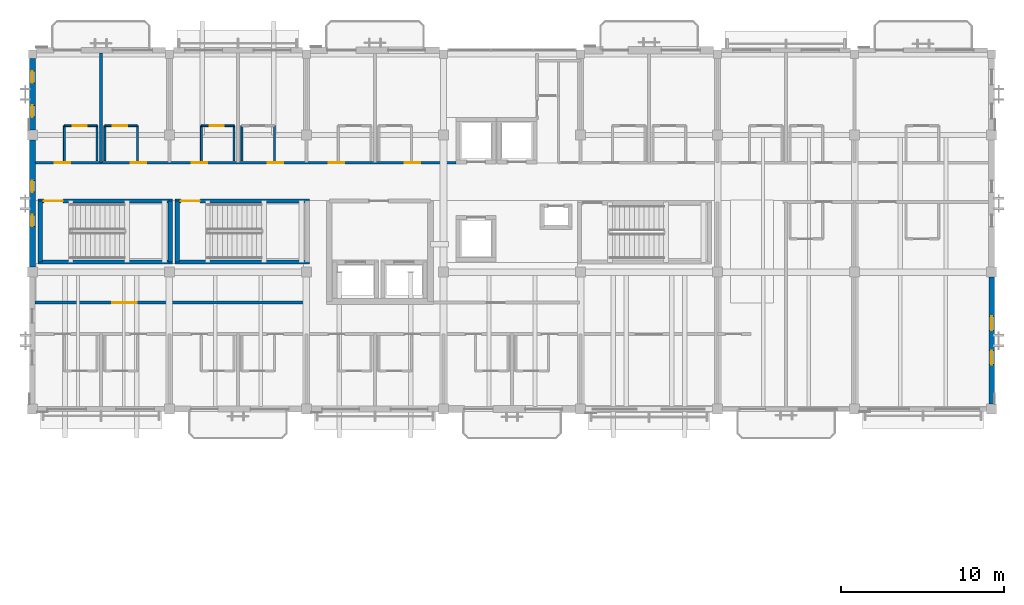
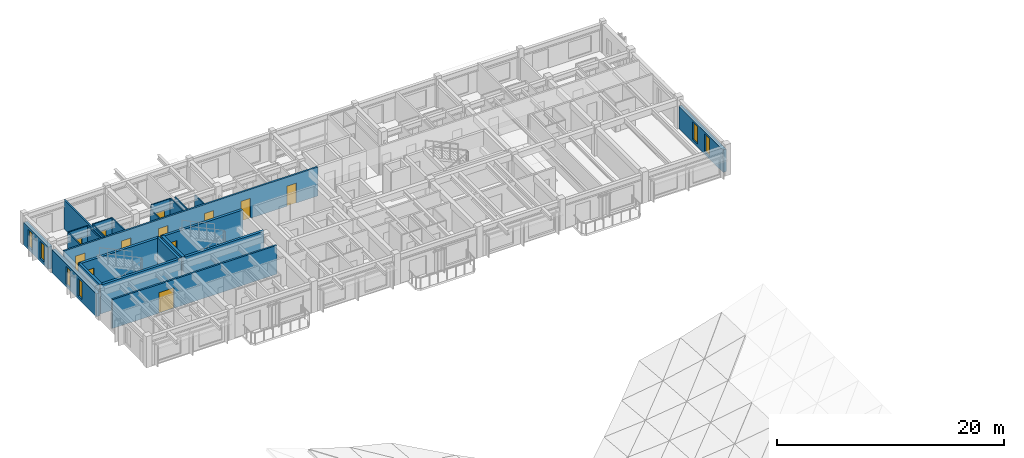
# One storey, part 14 of 31: 24 walls, 12 doors, 6 windows, 18 openings.
"""IFC4 building model written with IfcOpenShell, lengths in metres."""

from ifc_helpers import new_model, si_unit, direction, frame, frame_2d, origin, place, context, subcontext, project, spatial, rectangle, extrude, material, layer, layer_set, type_object, element, fill, save


model = new_model("IFC4")

# Units and contexts
model_context = context("Model", 3, precision=1e-05, world=origin(), true_north=direction((0.0, 1.0)))
body_context = subcontext(model_context, "Body", "Model", "MODEL_VIEW")
ifc_project = project(units=[si_unit("LENGTHUNIT", "METRE"), si_unit("AREAUNIT", "SQUARE_METRE"), si_unit("VOLUMEUNIT", "CUBIC_METRE"), si_unit("PLANEANGLEUNIT", "RADIAN"), si_unit("MASSUNIT", "GRAM", prefix="KILO")], contexts=[model_context])

# Site, building, storey
site_placement = place(None, origin())
site = spatial("IfcSite", under=ifc_project, at=site_placement, CompositionType="ELEMENT")
building_placement = place(site_placement, origin())
building = spatial("IfcBuilding", under=site, at=building_placement, Name="Cumbredor Promenade Congress Hotel", CompositionType="ELEMENT")
storey_placement = place(building_placement, frame((0.0, 0.0, 31.919921875)))
storey = spatial("IfcBuildingStorey", under=building, at=storey_placement, Name="L09", CompositionType="ELEMENT", Elevation=31.919921875)

# Wall, opening, door
ifc_material_1 = material(Name="Moisture-resistant gypsum board on steel studs", Category="steel")
ifc_layer_1 = layer(ifc_material_1, 0.114990234375, Name="Moisture-resistant gypsum board on steel studs", Category="steel")
ifc_layer_set_1 = layer_set([ifc_layer_1], Name="Moisture-resistant gypsum board on steel studs")
wall_type_1 = type_object("IfcWallType", Name="WL-BATH-115", PredefinedType="PARTITIONING", material=ifc_layer_set_1)
wall_1_placement = place(storey_placement, frame((10.360107421875, 109.77001953125, 0.0), z_axis=(0.0, 0.0, 1.0), x_axis=(1.0, 0.0, 0.0)))
wall_1 = element("IfcWall", 1, at=wall_1_placement, inside=storey, type_object=wall_type_1, Name="L09 Interior Partition W-L09-BH-0901", PredefinedType="PARTITIONING", context=body_context, shape_type="SweptSolid", body=[
    extrude(rectangle(XDim=2.0, YDim=0.114990234375, at=frame_2d((1.0, 0.0))), origin(), (0.0, 0.0, 1.0), 3.10009765625),
])
opening_1_placement = place(wall_1_placement, frame((0.5, 0.0, 0.0)))
opening_1 = element("IfcOpeningElement", 2, at=opening_1_placement, cuts=wall_1, Name="Opening ID-01", PredefinedType="OPENING", context=body_context, shape_type="SweptSolid", body=[
    extrude(rectangle(XDim=0.860107421875, YDim=2.050048828125, at=frame_2d((0.43017578125, 1.02490234375))), frame((0.0, 0.0673828125, 0.0), z_axis=(0.0, -1.0, 0.0), x_axis=(1.0, 0.0, 0.0)), (0.0, 0.0, 1.0), 0.135009765625),
])
ifc_material_2 = material(Name="Kiln-dried tropical hardwood", Category="wood")
door_type_1 = type_object("IfcDoorType", Name="DR-BATH-860", OperationType="NOTDEFINED", PredefinedType="DOOR", material=ifc_material_2)
door_1_placement = place(opening_1_placement, origin())
door_1 = element("IfcDoor", 3, at=door_1_placement, inside=storey, type_object=door_type_1, Name="L09 Interior Door W-L09-BH-0901-01", OperationType="SINGLE_SWING_LEFT", OverallHeight=2.050048828125, OverallWidth=0.860107421875, PredefinedType="DOOR", context=body_context, shape_type="SweptSolid", body=[
    extrude(rectangle(XDim=0.860107421875, YDim=2.050048828125, at=frame_2d((0.43017578125, 1.02490234375))), frame((0.0, 0.02490234375, 0.0), z_axis=(0.0, -1.0, 0.0), x_axis=(1.0, 0.0, 0.0)), (0.0, 0.0, 1.0), 0.050048828125),
])
fill(opening_1, door_1)

# Walls
for number, where, z_axis, x_axis, name in (
    (4, (10.360107421875, 107.6201171875, 0.0), (0.0, 0.0, 1.0), (0.0, 1.0, 0.0), "L09 Interior Partition W-L09-BV1-0901"),
    (5, (12.360107421875, 107.6201171875, 0.0), (0.0, 0.0, 1.0), (0.0, 1.0, 0.0), "L09 Interior Partition W-L09-BV2-0901"),
):
    element("IfcWall", number, at=place(storey_placement, frame(where, z_axis=z_axis, x_axis=x_axis)), inside=storey, type_object=wall_type_1, Name=name, PredefinedType="PARTITIONING", context=body_context, shape_type="SweptSolid", body=[
        extrude(rectangle(XDim=2.14990234375, YDim=0.114990234375, at=frame_2d((1.074951171875, 0.0))), origin(), (0.0, 0.0, 1.0), 3.10009765625),
    ])

# Wall, opening, door
wall_2_placement = place(storey_placement, frame((12.840087890625, 109.77001953125, 0.0), z_axis=(0.0, 0.0, 1.0), x_axis=(1.0, 0.0, 0.0)))
wall_2 = element("IfcWall", 6, at=wall_2_placement, inside=storey, type_object=wall_type_1, Name="L09 Interior Partition W-L09-BH-0902", PredefinedType="PARTITIONING", context=body_context, shape_type="SweptSolid", body=[
    extrude(rectangle(XDim=2.0, YDim=0.114990234375, at=frame_2d((1.0, 0.0))), origin(), (0.0, 0.0, 1.0), 3.10009765625),
])
opening_2_placement = place(wall_2_placement, frame((0.5, 0.0, 0.0)))
opening_2 = element("IfcOpeningElement", 7, at=opening_2_placement, cuts=wall_2, Name="Opening ID-01", PredefinedType="OPENING", context=body_context, shape_type="SweptSolid", body=[
    extrude(rectangle(XDim=0.860107421875, YDim=2.050048828125, at=frame_2d((0.43017578125, 1.02490234375))), frame((0.0, 0.0673828125, 0.0), z_axis=(0.0, -1.0, 0.0), x_axis=(1.0, 0.0, 0.0)), (0.0, 0.0, 1.0), 0.135009765625),
])
door_2_placement = place(opening_2_placement, origin())
door_2 = element("IfcDoor", 8, at=door_2_placement, inside=storey, type_object=door_type_1, Name="L09 Interior Door W-L09-BH-0902-01", OperationType="SINGLE_SWING_RIGHT", OverallHeight=2.050048828125, OverallWidth=0.860107421875, PredefinedType="DOOR", context=body_context, shape_type="SweptSolid", body=[
    extrude(rectangle(XDim=0.860107421875, YDim=2.050048828125, at=frame_2d((0.43017578125, 1.02490234375))), frame((0.0, 0.02490234375, 0.0), z_axis=(0.0, -1.0, 0.0), x_axis=(1.0, 0.0, 0.0)), (0.0, 0.0, 1.0), 0.050048828125),
])
fill(opening_2, door_2)

# Walls
for number, where, z_axis, x_axis, name in (
    (9, (12.840087890625, 107.6201171875, 0.0), (0.0, 0.0, 1.0), (0.0, 1.0, 0.0), "L09 Interior Partition W-L09-BV1-0902"),
    (10, (14.840087890625, 107.6201171875, 0.0), (0.0, 0.0, 1.0), (0.0, 1.0, 0.0), "L09 Interior Partition W-L09-BV2-0902"),
):
    element("IfcWall", number, at=place(storey_placement, frame(where, z_axis=z_axis, x_axis=x_axis)), inside=storey, type_object=wall_type_1, Name=name, PredefinedType="PARTITIONING", context=body_context, shape_type="SweptSolid", body=[
        extrude(rectangle(XDim=2.14990234375, YDim=0.114990234375, at=frame_2d((1.074951171875, 0.0))), origin(), (0.0, 0.0, 1.0), 3.10009765625),
    ])

# Wall, opening, door
wall_3_placement = place(storey_placement, frame((18.760009765625, 109.77001953125, 0.0), z_axis=(0.0, 0.0, 1.0), x_axis=(1.0, 0.0, 0.0)))
wall_3 = element("IfcWall", 11, at=wall_3_placement, inside=storey, type_object=wall_type_1, Name="L09 Interior Partition W-L09-BH-0903", PredefinedType="PARTITIONING", context=body_context, shape_type="SweptSolid", body=[
    extrude(rectangle(XDim=2.0, YDim=0.114990234375, at=frame_2d((1.0, 0.0))), origin(), (0.0, 0.0, 1.0), 3.10009765625),
])
opening_3_placement = place(wall_3_placement, frame((0.5, 0.0, 0.0)))
opening_3 = element("IfcOpeningElement", 12, at=opening_3_placement, cuts=wall_3, Name="Opening ID-01", PredefinedType="OPENING", context=body_context, shape_type="SweptSolid", body=[
    extrude(rectangle(XDim=0.860107421875, YDim=2.050048828125, at=frame_2d((0.43017578125, 1.02490234375))), frame((0.0, 0.0673828125, 0.0), z_axis=(0.0, -1.0, 0.0), x_axis=(1.0, 0.0, 0.0)), (0.0, 0.0, 1.0), 0.135009765625),
])
door_3_placement = place(opening_3_placement, origin())
door_3 = element("IfcDoor", 13, at=door_3_placement, inside=storey, type_object=door_type_1, Name="L09 Interior Door W-L09-BH-0903-01", OperationType="SINGLE_SWING_LEFT", OverallHeight=2.050048828125, OverallWidth=0.860107421875, PredefinedType="DOOR", context=body_context, shape_type="SweptSolid", body=[
    extrude(rectangle(XDim=0.860107421875, YDim=2.050048828125, at=frame_2d((0.43017578125, 1.02490234375))), frame((0.0, 0.02490234375, 0.0), z_axis=(0.0, -1.0, 0.0), x_axis=(1.0, 0.0, 0.0)), (0.0, 0.0, 1.0), 0.050048828125),
])
fill(opening_3, door_3)

# Walls
wall_4_placement = place(storey_placement, frame((18.760009765625, 107.6201171875, 0.0), z_axis=(0.0, 0.0, 1.0), x_axis=(0.0, 1.0, 0.0)))
element("IfcWall", 14, at=wall_4_placement, inside=storey, type_object=wall_type_1, Name="L09 Interior Partition W-L09-BV1-0903", PredefinedType="PARTITIONING", context=body_context, shape_type="SweptSolid", body=[
    extrude(rectangle(XDim=2.14990234375, YDim=0.114990234375, at=frame_2d((1.074951171875, 0.0))), origin(), (0.0, 0.0, 1.0), 2.6220703125),
])
for number, where, z_axis, x_axis, name in (
    (15, (20.760009765625, 107.6201171875, 0.0), (0.0, 0.0, 1.0), (0.0, 1.0, 0.0), "L09 Interior Partition W-L09-BV2-0903"),
    (16, (21.239990234375, 107.6201171875, 0.0), (0.0, 0.0, 1.0), (0.0, 1.0, 0.0), "L09 Interior Partition W-L09-BV1-0904"),
):
    element("IfcWall", number, at=place(storey_placement, frame(where, z_axis=z_axis, x_axis=x_axis)), inside=storey, type_object=wall_type_1, Name=name, PredefinedType="PARTITIONING", context=body_context, shape_type="SweptSolid", body=[
        extrude(rectangle(XDim=2.14990234375, YDim=0.114990234375, at=frame_2d((1.074951171875, 0.0))), origin(), (0.0, 0.0, 1.0), 3.10009765625),
    ])
wall_5_placement = place(storey_placement, frame((23.239990234375, 107.6201171875, 0.0), z_axis=(0.0, 0.0, 1.0), x_axis=(0.0, 1.0, 0.0)))
element("IfcWall", 17, at=wall_5_placement, inside=storey, type_object=wall_type_1, Name="L09 Interior Partition W-L09-BV2-0904", PredefinedType="PARTITIONING", context=body_context, shape_type="SweptSolid", body=[
    extrude(rectangle(XDim=2.14990234375, YDim=0.114990234375, at=frame_2d((1.074951171875, 0.0))), origin(), (0.0, 0.0, 1.0), 2.6220703125),
])

# Wall, openings, doors
ifc_material_3 = material(Name="Fire-rated hotel corridor wall")
ifc_layer_2 = layer(ifc_material_3, 0.179931640625, Name="Fire-rated hotel corridor wall")
ifc_layer_set_2 = layer_set([ifc_layer_2], Name="Fire-rated hotel corridor wall")
wall_type_2 = type_object("IfcWallType", Name="WL-CORR-180", PredefinedType="PARTITIONING", material=ifc_layer_set_2)
wall_6_placement = place(storey_placement, frame((8.574951171875, 107.5, 0.0), z_axis=(0.0, 0.0, 1.0), x_axis=(1.0, 0.0, 0.0)))
wall_6 = element("IfcWall", 18, at=wall_6_placement, inside=storey, type_object=wall_type_2, Name="L09 Interior Partition W-L09-CORR-NW", PredefinedType="PARTITIONING", context=body_context, shape_type="SweptSolid", body=[
    extrude(rectangle(XDim=25.795166015625, YDim=0.179931640625, at=frame_2d((12.8974609375, 0.0))), origin(), (0.0, 0.0, 1.0), 3.10009765625),
])
opening_4_placement = place(wall_6_placement, frame((1.195068359375, 0.0, 0.0)))
opening_4 = element("IfcOpeningElement", 19, at=opening_4_placement, cuts=wall_6, Name="Opening FD-01", PredefinedType="OPENING", context=body_context, shape_type="SweptSolid", body=[
    extrude(rectangle(XDim=0.9599609375, YDim=2.14990234375, at=frame_2d((0.47998046875, 1.074951171875))), frame((0.0, 0.10009765625, 0.0), z_axis=(0.0, -1.0, 0.0), x_axis=(1.0, 0.0, 0.0)), (0.0, 0.0, 1.0), 0.199951171875),
])
opening_5_placement = place(wall_6_placement, frame((5.85498046875, 0.0, 0.0)))
opening_5 = element("IfcOpeningElement", 20, at=opening_5_placement, cuts=wall_6, Name="Opening FD-01", PredefinedType="OPENING", context=body_context, shape_type="SweptSolid", body=[
    extrude(rectangle(XDim=0.9599609375, YDim=2.14990234375, at=frame_2d((0.47998046875, 1.074951171875))), frame((0.0, 0.10009765625, 0.0), z_axis=(0.0, -1.0, 0.0), x_axis=(1.0, 0.0, 0.0)), (0.0, 0.0, 1.0), 0.199951171875),
])
opening_6_placement = place(wall_6_placement, frame((9.594970703125, 0.0, 0.0)))
opening_6 = element("IfcOpeningElement", 21, at=opening_6_placement, cuts=wall_6, Name="Opening FD-01", PredefinedType="OPENING", context=body_context, shape_type="SweptSolid", body=[
    extrude(rectangle(XDim=0.9599609375, YDim=2.14990234375, at=frame_2d((0.47998046875, 1.074951171875))), frame((0.0, 0.10009765625, 0.0), z_axis=(0.0, -1.0, 0.0), x_axis=(1.0, 0.0, 0.0)), (0.0, 0.0, 1.0), 0.199951171875),
])
opening_7_placement = place(wall_6_placement, frame((14.2548828125, 0.0, 0.0)))
opening_7 = element("IfcOpeningElement", 22, at=opening_7_placement, cuts=wall_6, Name="Opening FD-01", PredefinedType="OPENING", context=body_context, shape_type="SweptSolid", body=[
    extrude(rectangle(XDim=0.9599609375, YDim=2.14990234375, at=frame_2d((0.47998046875, 1.074951171875))), frame((0.0, 0.10009765625, 0.0), z_axis=(0.0, -1.0, 0.0), x_axis=(1.0, 0.0, 0.0)), (0.0, 0.0, 1.0), 0.199951171875),
])
opening_8_placement = place(wall_6_placement, frame((17.9951171875, 0.0, 0.0)))
opening_8 = element("IfcOpeningElement", 23, at=opening_8_placement, cuts=wall_6, Name="Opening FD-01", PredefinedType="OPENING", context=body_context, shape_type="SweptSolid", body=[
    extrude(rectangle(XDim=0.9599609375, YDim=2.14990234375, at=frame_2d((0.47998046875, 1.074951171875))), frame((0.0, 0.10009765625, 0.0), z_axis=(0.0, -1.0, 0.0), x_axis=(1.0, 0.0, 0.0)), (0.0, 0.0, 1.0), 0.199951171875),
])
opening_9_placement = place(wall_6_placement, frame((22.655029296875, 0.0, 0.0)))
opening_9 = element("IfcOpeningElement", 24, at=opening_9_placement, cuts=wall_6, Name="Opening FD-01", PredefinedType="OPENING", context=body_context, shape_type="SweptSolid", body=[
    extrude(rectangle(XDim=0.9599609375, YDim=2.14990234375, at=frame_2d((0.47998046875, 1.074951171875))), frame((0.0, 0.10009765625, 0.0), z_axis=(0.0, -1.0, 0.0), x_axis=(1.0, 0.0, 0.0)), (0.0, 0.0, 1.0), 0.199951171875),
])
ifc_material_4 = material(Name="Solid-core fire-rated tropical hardwood", Category="wood")
door_type_2 = type_object("IfcDoorType", Name="DR-GUEST-FD30-950", OperationType="NOTDEFINED", PredefinedType="DOOR", material=ifc_material_4)
door_4_placement = place(opening_4_placement, origin())
door_4 = element("IfcDoor", 25, at=door_4_placement, inside=storey, type_object=door_type_2, Name="L09 Interior Door W-L09-CORR-NW-01", OperationType="SINGLE_SWING_RIGHT", OverallHeight=2.14990234375, OverallWidth=0.9599609375, PredefinedType="DOOR", context=body_context, shape_type="SweptSolid", body=[
    extrude(rectangle(XDim=0.9599609375, YDim=2.14990234375, at=frame_2d((0.47998046875, 1.074951171875))), frame((0.0, 0.02490234375, 0.0), z_axis=(0.0, -1.0, 0.0), x_axis=(1.0, 0.0, 0.0)), (0.0, 0.0, 1.0), 0.050048828125),
])
fill(opening_4, door_4)
door_5_placement = place(opening_5_placement, origin())
door_5 = element("IfcDoor", 26, at=door_5_placement, inside=storey, type_object=door_type_2, Name="L09 Interior Door W-L09-CORR-NW-02", OperationType="SINGLE_SWING_LEFT", OverallHeight=2.14990234375, OverallWidth=0.9599609375, PredefinedType="DOOR", context=body_context, shape_type="SweptSolid", body=[
    extrude(rectangle(XDim=0.9599609375, YDim=2.14990234375, at=frame_2d((0.47998046875, 1.074951171875))), frame((0.0, 0.02490234375, 0.0), z_axis=(0.0, -1.0, 0.0), x_axis=(1.0, 0.0, 0.0)), (0.0, 0.0, 1.0), 0.050048828125),
])
fill(opening_5, door_5)
door_6_placement = place(opening_6_placement, origin())
door_6 = element("IfcDoor", 27, at=door_6_placement, inside=storey, type_object=door_type_2, Name="L09 Interior Door W-L09-CORR-NW-03", OperationType="SINGLE_SWING_RIGHT", OverallHeight=2.14990234375, OverallWidth=0.9599609375, PredefinedType="DOOR", context=body_context, shape_type="SweptSolid", body=[
    extrude(rectangle(XDim=0.9599609375, YDim=2.14990234375, at=frame_2d((0.47998046875, 1.074951171875))), frame((0.0, 0.02490234375, 0.0), z_axis=(0.0, -1.0, 0.0), x_axis=(1.0, 0.0, 0.0)), (0.0, 0.0, 1.0), 0.050048828125),
])
fill(opening_6, door_6)
door_7_placement = place(opening_7_placement, origin())
door_7 = element("IfcDoor", 28, at=door_7_placement, inside=storey, type_object=door_type_2, Name="L09 Interior Door W-L09-CORR-NW-04", OperationType="SINGLE_SWING_LEFT", OverallHeight=2.14990234375, OverallWidth=0.9599609375, PredefinedType="DOOR", context=body_context, shape_type="SweptSolid", body=[
    extrude(rectangle(XDim=0.9599609375, YDim=2.14990234375, at=frame_2d((0.47998046875, 1.074951171875))), frame((0.0, 0.02490234375, 0.0), z_axis=(0.0, -1.0, 0.0), x_axis=(1.0, 0.0, 0.0)), (0.0, 0.0, 1.0), 0.050048828125),
])
fill(opening_7, door_7)
door_8_placement = place(opening_8_placement, origin())
door_8 = element("IfcDoor", 29, at=door_8_placement, inside=storey, type_object=door_type_2, Name="L09 Interior Door W-L09-CORR-NW-05", OperationType="SINGLE_SWING_RIGHT", OverallHeight=2.14990234375, OverallWidth=0.9599609375, PredefinedType="DOOR", context=body_context, shape_type="SweptSolid", body=[
    extrude(rectangle(XDim=0.9599609375, YDim=2.14990234375, at=frame_2d((0.47998046875, 1.074951171875))), frame((0.0, 0.02490234375, 0.0), z_axis=(0.0, -1.0, 0.0), x_axis=(1.0, 0.0, 0.0)), (0.0, 0.0, 1.0), 0.050048828125),
])
fill(opening_8, door_8)
door_9_placement = place(opening_9_placement, origin())
door_9 = element("IfcDoor", 30, at=door_9_placement, inside=storey, type_object=door_type_2, Name="L09 Interior Door W-L09-CORR-NW-06", OperationType="SINGLE_SWING_LEFT", OverallHeight=2.14990234375, OverallWidth=0.9599609375, PredefinedType="DOOR", context=body_context, shape_type="SweptSolid", body=[
    extrude(rectangle(XDim=0.9599609375, YDim=2.14990234375, at=frame_2d((0.47998046875, 1.074951171875))), frame((0.0, 0.02490234375, 0.0), z_axis=(0.0, -1.0, 0.0), x_axis=(1.0, 0.0, 0.0)), (0.0, 0.0, 1.0), 0.050048828125),
])
fill(opening_9, door_9)

# Wall, opening, door
wall_7_placement = place(storey_placement, frame((8.5625, 98.919921875, 0.0), z_axis=(0.0, 0.0, 1.0), x_axis=(1.0, 0.0, 0.0)))
wall_7 = element("IfcWall", 31, at=wall_7_placement, inside=storey, type_object=wall_type_2, Name="L09 Interior Partition W-L09-STUDY-S", PredefinedType="PARTITIONING", context=body_context, shape_type="SweptSolid", body=[
    extrude(rectangle(XDim=16.6875, YDim=0.179931640625, at=frame_2d((8.34375, 0.0))), origin(), (0.0, 0.0, 1.0), 3.10009765625),
])
opening_10_placement = place(wall_7_placement, frame((4.738037109375, 0.0, 0.0)))
opening_10 = element("IfcOpeningElement", 32, at=opening_10_placement, cuts=wall_7, Name="Opening FD-07", PredefinedType="OPENING", context=body_context, shape_type="SweptSolid", body=[
    extrude(rectangle(XDim=1.5, YDim=2.199951171875, at=frame_2d((0.75, 1.10009765625))), frame((0.0, 0.10009765625, 0.0), z_axis=(0.0, -1.0, 0.0), x_axis=(1.0, 0.0, 0.0)), (0.0, 0.0, 1.0), 0.199951171875),
])
door_type_3 = type_object("IfcDoorType", Name="DR-DBL-FD60-1500", OperationType="DOUBLE_DOOR_SINGLE_SWING", PredefinedType="DOOR", material=ifc_material_4)
door_10_placement = place(opening_10_placement, origin())
door_10 = element("IfcDoor", 33, at=door_10_placement, inside=storey, type_object=door_type_3, Name="L09 Interior Door W-L09-STUDY-S-01", OperationType="DOUBLE_DOOR_SINGLE_SWING", OverallHeight=2.199951171875, OverallWidth=1.5, PredefinedType="DOOR", context=body_context, shape_type="SweptSolid", body=[
    extrude(rectangle(XDim=1.5, YDim=2.199951171875, at=frame_2d((0.75, 1.10009765625))), frame((0.0, 0.02490234375, 0.0), z_axis=(0.0, -1.0, 0.0), x_axis=(1.0, 0.0, 0.0)), (0.0, 0.0, 1.0), 0.050048828125),
])
fill(opening_10, door_10)

# Wall, openings, windows
ifc_material_5 = material(Name="Concrete C40/50", Category="concrete")
ifc_layer_3 = layer(ifc_material_5, 0.324951171875, Name="Concrete C40/50", Category="concrete")
ifc_layer_set_3 = layer_set([ifc_layer_3], Name="Concrete C40/50")
wall_type_3 = type_object("IfcWallType", Name="WL-EXT-325", PredefinedType="SOLIDWALL", material=ifc_layer_set_3)
wall_8_placement = place(storey_placement, frame((67.199951171875, 92.700927734375, 0.0), z_axis=(0.0, 0.0, 1.0), x_axis=(0.0, 1.0, 0.0)))
wall_8 = element("IfcWall", 34, at=wall_8_placement, inside=storey, type_object=wall_type_3, Name="L09 Stepped Congress Hotel Wing East Envelope Wall 1", PredefinedType="SOLIDWALL", context=body_context, shape_type="SweptSolid", body=[
    extrude(rectangle(XDim=7.798095703125, YDim=0.324951171875, at=frame_2d((3.89892578125, 0.0))), origin(), (0.0, 0.0, 1.0), 2.4140625),
])
opening_11_placement = place(wall_8_placement, frame((2.424072265625, 0.0, 0.300048828125)))
opening_11 = element("IfcOpeningElement", 35, at=opening_11_placement, cuts=wall_8, Name="Opening WN-67", PredefinedType="OPENING", context=body_context, shape_type="SweptSolid", body=[
    extrude(rectangle(XDim=0.85009765625, YDim=1.89990234375, at=frame_2d((0.425048828125, 0.949951171875))), frame((0.0, 0.17236328125, 0.0), z_axis=(0.0, -1.0, 0.0), x_axis=(1.0, 0.0, 0.0)), (0.0, 0.0, 1.0), 0.344970703125),
])
opening_12_placement = place(wall_8_placement, frame((4.52392578125, 0.0, 0.300048828125)))
opening_12 = element("IfcOpeningElement", 36, at=opening_12_placement, cuts=wall_8, Name="Opening WN-67", PredefinedType="OPENING", context=body_context, shape_type="SweptSolid", body=[
    extrude(rectangle(XDim=0.85009765625, YDim=1.89990234375, at=frame_2d((0.425048828125, 0.949951171875))), frame((0.0, 0.17236328125, 0.0), z_axis=(0.0, -1.0, 0.0), x_axis=(1.0, 0.0, 0.0)), (0.0, 0.0, 1.0), 0.344970703125),
])
ifc_material_6 = material(Name="Thermally broken anodized aluminium and low-E glass", Category="aluminium")
window_type_1 = type_object("IfcWindowType", Name="Vertical Slot Window WN-67 850x1900", PartitioningType="SINGLE_PANEL", PredefinedType="WINDOW", material=ifc_material_6)
window_1_placement = place(opening_11_placement, origin())
window_1 = element("IfcWindow", 37, at=window_1_placement, inside=storey, type_object=window_type_1, Name="L09 Vertical Slot Window 0704", OverallHeight=1.89990234375, OverallWidth=0.85009765625, PartitioningType="SINGLE_PANEL", PredefinedType="WINDOW", context=body_context, shape_type="SweptSolid", body=[
    extrude(rectangle(XDim=0.85009765625, YDim=1.89990234375, at=frame_2d((0.425048828125, 0.949951171875))), frame((0.0, 0.030029296875, 0.0), z_axis=(0.0, -1.0, 0.0), x_axis=(1.0, 0.0, 0.0)), (0.0, 0.0, 1.0), 0.06005859375),
])
fill(opening_11, window_1)
window_2_placement = place(opening_12_placement, origin())
window_2 = element("IfcWindow", 38, at=window_2_placement, inside=storey, type_object=window_type_1, Name="L09 Vertical Slot Window 0705", OverallHeight=1.89990234375, OverallWidth=0.85009765625, PartitioningType="SINGLE_PANEL", PredefinedType="WINDOW", context=body_context, shape_type="SweptSolid", body=[
    extrude(rectangle(XDim=0.85009765625, YDim=1.89990234375, at=frame_2d((0.425048828125, 0.949951171875))), frame((0.0, 0.030029296875, 0.0), z_axis=(0.0, -1.0, 0.0), x_axis=(1.0, 0.0, 0.0)), (0.0, 0.0, 1.0), 0.06005859375),
])
fill(opening_12, window_2)

ifc_layer_4 = layer(ifc_material_5, 0.35009765625, Name="Concrete C40/50", Category="concrete")
ifc_layer_set_4 = layer_set([ifc_layer_4], Name="Concrete C40/50")
wall_type_4 = type_object("IfcWallType", Name="WL-EXT-350", PredefinedType="SOLIDWALL", material=ifc_layer_set_4)
wall_9_placement = place(storey_placement, frame((8.39990234375, 101.10107421875, 0.0), z_axis=(0.0, 0.0, 1.0), x_axis=(0.0, 1.0, 0.0)))
wall_9 = element("IfcWall", 39, at=wall_9_placement, inside=storey, type_object=wall_type_4, Name="L09 Stepped Congress Hotel Wing West Envelope Wall 2", PredefinedType="SOLIDWALL", context=body_context, shape_type="SweptSolid", body=[
    extrude(rectangle(XDim=7.7978515625, YDim=0.35009765625, at=frame_2d((3.89892578125, 0.0))), origin(), (0.0, 0.0, 1.0), 2.47412109375),
])
opening_13_placement = place(wall_9_placement, frame((2.4990234375, 0.0, 0.300048828125)))
opening_13 = element("IfcOpeningElement", 40, at=opening_13_placement, cuts=wall_9, Name="Opening WN-65", PredefinedType="OPENING", context=body_context, shape_type="SweptSolid", body=[
    extrude(rectangle(XDim=0.699951171875, YDim=1.89990234375, at=frame_2d((0.35009765625, 0.949951171875))), frame((0.0, 0.18505859375, 0.0), z_axis=(0.0, -1.0, 0.0), x_axis=(1.0, 0.0, 0.0)), (0.0, 0.0, 1.0), 0.3701171875),
])
opening_14_placement = place(wall_9_placement, frame((4.59912109375, 0.0, 0.300048828125)))
opening_14 = element("IfcOpeningElement", 41, at=opening_14_placement, cuts=wall_9, Name="Opening WN-65", PredefinedType="OPENING", context=body_context, shape_type="SweptSolid", body=[
    extrude(rectangle(XDim=0.699951171875, YDim=1.89990234375, at=frame_2d((0.35009765625, 0.949951171875))), frame((0.0, 0.18505859375, 0.0), z_axis=(0.0, -1.0, 0.0), x_axis=(1.0, 0.0, 0.0)), (0.0, 0.0, 1.0), 0.3701171875),
])
window_type_2 = type_object("IfcWindowType", Name="Vertical Slot Window WN-65 700x1900", PartitioningType="SINGLE_PANEL", PredefinedType="WINDOW", material=ifc_material_6)
window_3_placement = place(opening_13_placement, origin())
window_3 = element("IfcWindow", 42, at=window_3_placement, inside=storey, type_object=window_type_2, Name="L09 Vertical Slot Window 0700", OverallHeight=1.89990234375, OverallWidth=0.699951171875, PartitioningType="SINGLE_PANEL", PredefinedType="WINDOW", context=body_context, shape_type="SweptSolid", body=[
    extrude(rectangle(XDim=0.699951171875, YDim=1.89990234375, at=frame_2d((0.35009765625, 0.949951171875))), frame((0.0, 0.030029296875, 0.0), z_axis=(0.0, -1.0, 0.0), x_axis=(1.0, 0.0, 0.0)), (0.0, 0.0, 1.0), 0.06005859375),
])
fill(opening_13, window_3)
window_4_placement = place(opening_14_placement, origin())
window_4 = element("IfcWindow", 43, at=window_4_placement, inside=storey, type_object=window_type_2, Name="L09 Vertical Slot Window 0701", OverallHeight=1.89990234375, OverallWidth=0.699951171875, PartitioningType="SINGLE_PANEL", PredefinedType="WINDOW", context=body_context, shape_type="SweptSolid", body=[
    extrude(rectangle(XDim=0.699951171875, YDim=1.89990234375, at=frame_2d((0.35009765625, 0.949951171875))), frame((0.0, 0.030029296875, 0.0), z_axis=(0.0, -1.0, 0.0), x_axis=(1.0, 0.0, 0.0)), (0.0, 0.0, 1.0), 0.06005859375),
])
fill(opening_14, window_4)

ifc_layer_5 = layer(ifc_material_5, 0.3798828125, Name="Concrete C40/50", Category="concrete")
ifc_layer_set_5 = layer_set([ifc_layer_5], Name="Concrete C40/50")
wall_type_5 = type_object("IfcWallType", Name="WL-EXT-380", PredefinedType="SOLIDWALL", material=ifc_layer_set_5)
wall_10_placement = place(storey_placement, frame((8.39990234375, 109.5009765625, 0.0), z_axis=(0.0, 0.0, 1.0), x_axis=(0.0, 1.0, 0.0)))
wall_10 = element("IfcWall", 44, at=wall_10_placement, inside=storey, type_object=wall_type_5, Name="L09 Stepped Congress Hotel Wing West Envelope Wall 3", PredefinedType="SOLIDWALL", context=body_context, shape_type="SweptSolid", body=[
    extrude(rectangle(XDim=4.39794921875, YDim=0.3798828125, at=frame_2d((2.198974609375, 0.0))), origin(), (0.0, 0.0, 1.0), 2.39013671875),
])
opening_15_placement = place(wall_10_placement, frame((0.7890625, 0.0, 0.300048828125)))
opening_15 = element("IfcOpeningElement", 45, at=opening_15_placement, cuts=wall_10, Name="Opening WN-45", PredefinedType="OPENING", context=body_context, shape_type="SweptSolid", body=[
    extrude(rectangle(XDim=0.719970703125, YDim=1.85009765625, at=frame_2d((0.35986328125, 0.925048828125))), frame((0.0, 0.199951171875, 0.0), z_axis=(0.0, -1.0, 0.0), x_axis=(1.0, 0.0, 0.0)), (0.0, 0.0, 1.0), 0.39990234375),
])
opening_16_placement = place(wall_10_placement, frame((2.888916015625, 0.0, 0.300048828125)))
opening_16 = element("IfcOpeningElement", 46, at=opening_16_placement, cuts=wall_10, Name="Opening WN-45", PredefinedType="OPENING", context=body_context, shape_type="SweptSolid", body=[
    extrude(rectangle(XDim=0.719970703125, YDim=1.85009765625, at=frame_2d((0.35986328125, 0.925048828125))), frame((0.0, 0.199951171875, 0.0), z_axis=(0.0, -1.0, 0.0), x_axis=(1.0, 0.0, 0.0)), (0.0, 0.0, 1.0), 0.39990234375),
])
window_type_3 = type_object("IfcWindowType", Name="Vertical Slot Window WN-45 720x1850", PartitioningType="SINGLE_PANEL", PredefinedType="WINDOW", material=ifc_material_6)
window_5_placement = place(opening_15_placement, origin())
window_5 = element("IfcWindow", 47, at=window_5_placement, inside=storey, type_object=window_type_3, Name="L09 Vertical Slot Window 0702", OverallHeight=1.85009765625, OverallWidth=0.719970703125, PartitioningType="SINGLE_PANEL", PredefinedType="WINDOW", context=body_context, shape_type="SweptSolid", body=[
    extrude(rectangle(XDim=0.719970703125, YDim=1.85009765625, at=frame_2d((0.35986328125, 0.925048828125))), frame((0.0, 0.030029296875, 0.0), z_axis=(0.0, -1.0, 0.0), x_axis=(1.0, 0.0, 0.0)), (0.0, 0.0, 1.0), 0.06005859375),
])
fill(opening_15, window_5)
window_6_placement = place(opening_16_placement, origin())
window_6 = element("IfcWindow", 48, at=window_6_placement, inside=storey, type_object=window_type_3, Name="L09 Vertical Slot Window 0703", OverallHeight=1.85009765625, OverallWidth=0.719970703125, PartitioningType="SINGLE_PANEL", PredefinedType="WINDOW", context=body_context, shape_type="SweptSolid", body=[
    extrude(rectangle(XDim=0.719970703125, YDim=1.85009765625, at=frame_2d((0.35986328125, 0.925048828125))), frame((0.0, 0.030029296875, 0.0), z_axis=(0.0, -1.0, 0.0), x_axis=(1.0, 0.0, 0.0)), (0.0, 0.0, 1.0), 0.06005859375),
])
fill(opening_16, window_6)

# Wall
ifc_layer_6 = layer(ifc_material_5, 0.2548828125, Name="Concrete C40/50", Category="concrete")
ifc_layer_set_6 = layer_set([ifc_layer_6], Name="Concrete C40/50")
wall_type_6 = type_object("IfcWallType", Name="WL-SHAFT-250", PredefinedType="SOLIDWALL", material=ifc_layer_set_6)
wall_11_placement = place(storey_placement, frame((8.75244140625, 101.419921875, 0.0), z_axis=(0.0, 0.0, 1.0), x_axis=(1.0, 0.0, 0.0)))
element("IfcWall", 49, at=wall_11_placement, inside=storey, type_object=wall_type_6, Name="STAIR-ST-01-L09 Shaft Wall South", PredefinedType="SOLIDWALL", context=body_context, shape_type="SweptSolid", body=[
    extrude(rectangle(XDim=8.22509765625, YDim=0.2548828125, at=frame_2d((4.112548828125, 0.0))), origin(), (0.0, 0.0, 1.0), 3.10009765625),
])

# Wall, opening, door
wall_12_placement = place(storey_placement, frame((8.75244140625, 105.14990234375, 0.0), z_axis=(0.0, 0.0, 1.0), x_axis=(1.0, 0.0, 0.0)))
wall_12 = element("IfcWall", 50, at=wall_12_placement, inside=storey, type_object=wall_type_6, Name="STAIR-ST-01-L09 Shaft Wall North", PredefinedType="SOLIDWALL", context=body_context, shape_type="SweptSolid", body=[
    extrude(rectangle(XDim=8.22509765625, YDim=0.2548828125, at=frame_2d((4.112548828125, 0.0))), origin(), (0.0, 0.0, 1.0), 3.10009765625),
])
opening_17_placement = place(wall_12_placement, frame((0.35009765625, 0.0, 0.0)))
opening_17 = element("IfcOpeningElement", 51, at=opening_17_placement, cuts=wall_12, Name="Opening SD-01", PredefinedType="OPENING", context=body_context, shape_type="SweptSolid", body=[
    extrude(rectangle(XDim=1.159912109375, YDim=2.14990234375, at=frame_2d((0.580078125, 1.074951171875))), frame((0.0, 0.137451171875, 0.0), z_axis=(0.0, -1.0, 0.0), x_axis=(1.0, 0.0, 0.0)), (0.0, 0.0, 1.0), 0.27490234375),
])
ifc_material_7 = material(Name="Painted galvanized steel fire door", Category="steel")
door_type_4 = type_object("IfcDoorType", Name="DR-STAIR-FD90-1150", OperationType="NOTDEFINED", PredefinedType="DOOR", material=ifc_material_7)
door_11_placement = place(opening_17_placement, origin())
door_11 = element("IfcDoor", 52, at=door_11_placement, inside=storey, type_object=door_type_4, Name="L09 Protected Exit Stair ST-01 Door", OperationType="SINGLE_SWING_LEFT", OverallHeight=2.14990234375, OverallWidth=1.159912109375, PredefinedType="DOOR", context=body_context, shape_type="SweptSolid", body=[
    extrude(rectangle(XDim=1.159912109375, YDim=2.14990234375, at=frame_2d((0.580078125, 1.074951171875))), frame((0.0, 0.02490234375, 0.0), z_axis=(0.0, -1.0, 0.0), x_axis=(1.0, 0.0, 0.0)), (0.0, 0.0, 1.0), 0.050048828125),
])
fill(opening_17, door_11)

# Walls
for number, where, z_axis, x_axis, name in (
    (53, (8.8798828125, 101.419921875, 0.0), (0.0, 0.0, 1.0), (0.0, 1.0, 0.0), "STAIR-ST-01-L09 Shaft Wall West"),
    (54, (16.85009765625, 101.419921875, 0.0), (0.0, 0.0, 1.0), (0.0, 1.0, 0.0), "STAIR-ST-01-L09 Shaft Wall East"),
):
    element("IfcWall", number, at=place(storey_placement, frame(where, z_axis=z_axis, x_axis=x_axis)), inside=storey, type_object=wall_type_6, Name=name, PredefinedType="SOLIDWALL", context=body_context, shape_type="SweptSolid", body=[
        extrude(rectangle(XDim=3.72998046875, YDim=0.2548828125, at=frame_2d((1.864990234375, 0.0))), origin(), (0.0, 0.0, 1.0), 3.10009765625),
    ])
wall_13_placement = place(storey_placement, frame((17.152587890625, 101.419921875, 0.0), z_axis=(0.0, 0.0, 1.0), x_axis=(1.0, 0.0, 0.0)))
element("IfcWall", 55, at=wall_13_placement, inside=storey, type_object=wall_type_6, Name="STAIR-ST-02-L09 Shaft Wall South", PredefinedType="SOLIDWALL", context=body_context, shape_type="SweptSolid", body=[
    extrude(rectangle(XDim=8.224853515625, YDim=0.2548828125, at=frame_2d((4.1123046875, 0.0))), origin(), (0.0, 0.0, 1.0), 3.10009765625),
])

# Wall, opening, door
wall_14_placement = place(storey_placement, frame((17.152587890625, 105.14990234375, 0.0), z_axis=(0.0, 0.0, 1.0), x_axis=(1.0, 0.0, 0.0)))
wall_14 = element("IfcWall", 56, at=wall_14_placement, inside=storey, type_object=wall_type_6, Name="STAIR-ST-02-L09 Shaft Wall North", PredefinedType="SOLIDWALL", context=body_context, shape_type="SweptSolid", body=[
    extrude(rectangle(XDim=8.224853515625, YDim=0.2548828125, at=frame_2d((4.1123046875, 0.0))), origin(), (0.0, 0.0, 1.0), 3.10009765625),
])
opening_18_placement = place(wall_14_placement, frame((0.35009765625, 0.0, 0.0)))
opening_18 = element("IfcOpeningElement", 57, at=opening_18_placement, cuts=wall_14, Name="Opening SD-01", PredefinedType="OPENING", context=body_context, shape_type="SweptSolid", body=[
    extrude(rectangle(XDim=1.159912109375, YDim=2.14990234375, at=frame_2d((0.580078125, 1.074951171875))), frame((0.0, 0.137451171875, 0.0), z_axis=(0.0, -1.0, 0.0), x_axis=(1.0, 0.0, 0.0)), (0.0, 0.0, 1.0), 0.27490234375),
])
door_12_placement = place(opening_18_placement, origin())
door_12 = element("IfcDoor", 58, at=door_12_placement, inside=storey, type_object=door_type_4, Name="L09 Protected Exit Stair ST-02 Door", OperationType="SINGLE_SWING_RIGHT", OverallHeight=2.14990234375, OverallWidth=1.159912109375, PredefinedType="DOOR", context=body_context, shape_type="SweptSolid", body=[
    extrude(rectangle(XDim=1.159912109375, YDim=2.14990234375, at=frame_2d((0.580078125, 1.074951171875))), frame((0.0, 0.02490234375, 0.0), z_axis=(0.0, -1.0, 0.0), x_axis=(1.0, 0.0, 0.0)), (0.0, 0.0, 1.0), 0.050048828125),
])
fill(opening_18, door_12)

# Walls
wall_15_placement = place(storey_placement, frame((17.280029296875, 101.419921875, 0.0), z_axis=(0.0, 0.0, 1.0), x_axis=(0.0, 1.0, 0.0)))
element("IfcWall", 59, at=wall_15_placement, inside=storey, type_object=wall_type_6, Name="STAIR-ST-02-L09 Shaft Wall West", PredefinedType="SOLIDWALL", context=body_context, shape_type="SweptSolid", body=[
    extrude(rectangle(XDim=3.72998046875, YDim=0.2548828125, at=frame_2d((1.864990234375, 0.0))), origin(), (0.0, 0.0, 1.0), 3.10009765625),
])
ifc_material_8 = material(Name="Fire-rated acoustic double-stud partition")
ifc_layer_7 = layer(ifc_material_8, 0.1650390625, Name="Fire-rated acoustic double-stud partition")
ifc_layer_set_7 = layer_set([ifc_layer_7], Name="Fire-rated acoustic double-stud partition")
wall_type_7 = type_object("IfcWallType", Name="WL-UNIT-165", PredefinedType="PARTITIONING", material=ifc_layer_set_7)
wall_16_placement = place(storey_placement, frame((12.60009765625, 107.5, 0.0), z_axis=(0.0, 0.0, 1.0), x_axis=(0.0, 1.0, 0.0)))
element("IfcWall", 60, at=wall_16_placement, inside=storey, type_object=wall_type_7, Name="L09 Interior Partition W-L09-N-DIV-0-M", PredefinedType="PARTITIONING", context=body_context, shape_type="SweptSolid", body=[
    extrude(rectangle(XDim=6.737548828125, YDim=0.1650390625, at=frame_2d((3.36865234375, 0.0))), origin(), (0.0, 0.0, 1.0), 3.10009765625),
])

save(model, "model.ifc")
